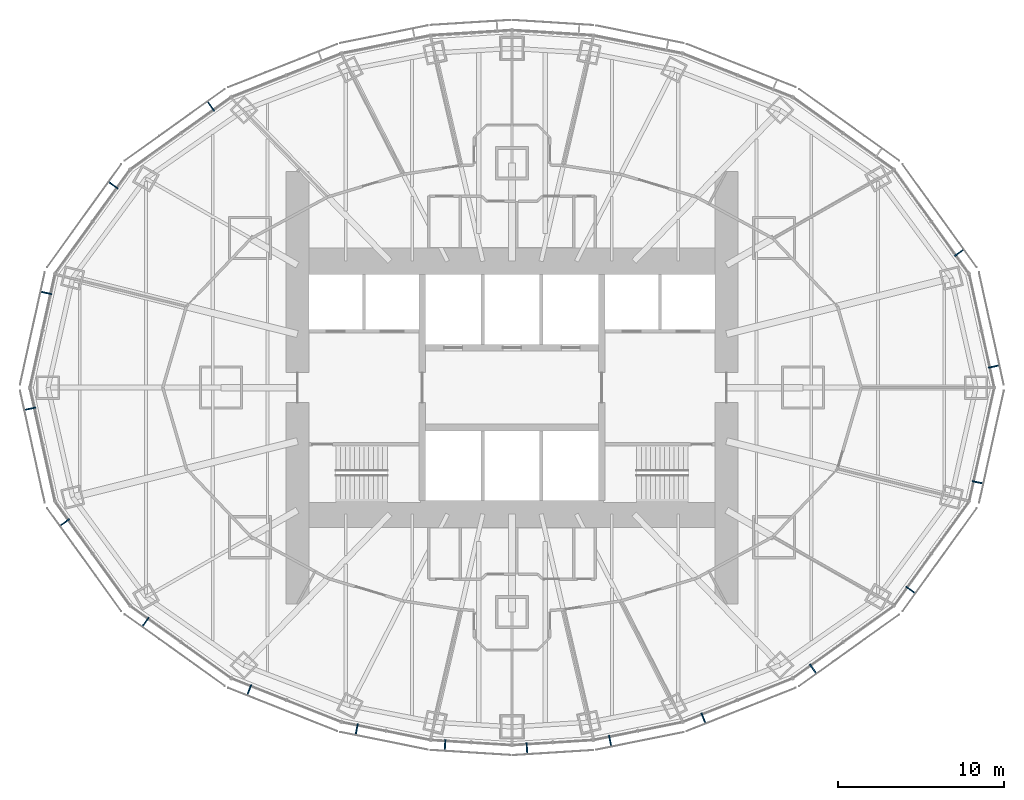
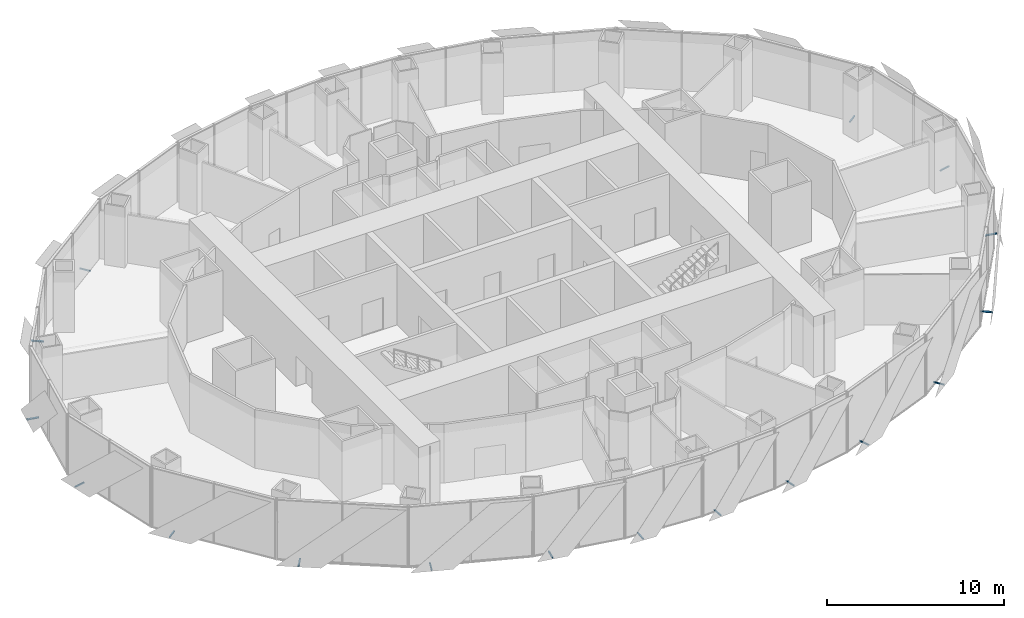
# One storey, part 14 of 18: 17 discrete accessories.
"""IFC4 building model written with IfcOpenShell, lengths in metres."""

from ifc_helpers import new_model, si_unit, direction, frame, origin, origin_2d, place, context, subcontext, project, spatial, rectangle, extrude, element, save


model = new_model("IFC4")

# Units and contexts
model_context = context("Model", 3, precision=1e-05, world=origin(), true_north=direction((0.0, 1.0)))
body_context = subcontext(model_context, "Body", "Model", "MODEL_VIEW")
ifc_project = project(units=[si_unit("LENGTHUNIT", "METRE"), si_unit("AREAUNIT", "SQUARE_METRE"), si_unit("VOLUMEUNIT", "CUBIC_METRE"), si_unit("PLANEANGLEUNIT", "RADIAN"), si_unit("MASSUNIT", "GRAM", prefix="KILO")], contexts=[model_context])

# Site, building, storey
site_placement = place(None, origin())
site = spatial("IfcSite", under=ifc_project, at=site_placement, CompositionType="ELEMENT")
building_placement = place(site_placement, origin())
building = spatial("IfcBuilding", under=site, at=building_placement, Name="Lantaw Convention Tower", CompositionType="ELEMENT")
storey_placement = place(building_placement, frame((0.0, 0.0, 138.39990234375)))
storey = spatial("IfcBuildingStorey", under=building, at=storey_placement, Name="L32", CompositionType="ELEMENT", Elevation=138.39990234375)

# Discrete accessories
for number, where, z_axis, x_axis, name in (
    (1, (28.98486328125, 1.269775390625, -0.114990234375), (0.0, 0.0, 1.0), (-0.215546166174, 0.9764936509, 0.0), "Screen bracket"),
    (2, (26.900146484375, 8.111572265625, -0.114990234375), (0.0, 0.0, 1.0), (-0.584512597221, 0.811384633629, 0.0), "Screen bracket"),
    (3, (-18.10791015625, 16.922607421875, -0.114990234375), (0.0, 0.0, 1.0), (-0.813208325995, -0.581972695693, 0.0), "Screen bracket"),
    (4, (-23.9765625, 12.169677734375, -0.114990234375), (0.0, 0.0, 1.0), (-0.584512597221, -0.811384633629, 0.0), "Screen bracket"),
    (5, (-28.008056640625, 5.6953125, -0.114990234375), (0.0, 0.0, 1.0), (-0.215546166174, -0.9764936509, 0.0), "Screen bracket"),
    (6, (-28.98486328125, -1.269775390625, -0.114990234375), (0.0, 0.0, 1.0), (0.215546166174, -0.9764936509, 0.0), "Screen bracket"),
    (7, (-26.900146484375, -8.111572265625, -0.114990234375), (0.0, 0.0, 1.0), (0.584512597221, -0.811384633629, 0.0), "Screen bracket"),
    (8, (-22.044189453125, -14.10546875, -0.114990234375), (0.0, 0.0, 1.0), (0.813208325995, -0.581972695693, 0.0), "Screen bracket"),
    (9, (-15.802978515625, -18.18798828125, -0.114990234375), (0.0, 0.0, 1.0), (0.929547687544, -0.368701907483, 0.0), "Screen bracket"),
    (10, (-9.339599609375, -20.56005859375, -0.114990234375), (0.0, 0.0, 1.0), (0.980301514912, -0.197506809659, 0.0), "Screen bracket"),
    (11, (-4.027099609375, -21.505859375, -0.114990234375), (0.0, 0.0, 1.0), (0.998022035978, -0.062865059466, 0.0), "Screen bracket"),
    (12, (0.89794921875, -21.702880859375, -0.114990234375), (0.0, 0.0, 1.0), (0.998022035978, 0.062865059466, 0.0), "Screen bracket"),
    (13, (5.903076171875, -21.25244140625, -0.114990234375), (0.0, 0.0, 1.0), (0.980301514912, 0.197506809659, 0.0), "Screen bracket"),
    (14, (11.517822265625, -19.887939453125, -0.114990234375), (0.0, 0.0, 1.0), (0.929547687544, 0.368701907483, 0.0), "Screen bracket"),
    (15, (18.10791015625, -16.922607421875, -0.114990234375), (0.0, 0.0, 1.0), (0.813208325995, 0.581972695693, 0.0), "Screen bracket"),
    (16, (23.9765625, -12.169677734375, -0.114990234375), (0.0, 0.0, 1.0), (0.584512597221, 0.811384633629, 0.0), "Screen bracket"),
    (17, (28.008056640625, -5.6953125, -0.114990234375), (0.0, 0.0, 1.0), (0.215546166174, 0.9764936509, 0.0), "Screen bracket"),
):
    element("IfcDiscreteAccessory", number, at=place(storey_placement, frame(where, z_axis=z_axis, x_axis=x_axis)), inside=storey, Name=name, PredefinedType="BRACKET", context=body_context, shape_type="SweptSolid", body=[
        extrude(rectangle(XDim=0.080078125, YDim=0.68798828125, at=origin_2d()), origin(), (0.0, 0.0, 1.0), 0.080078125),
    ])

save(model, "model.ifc")
